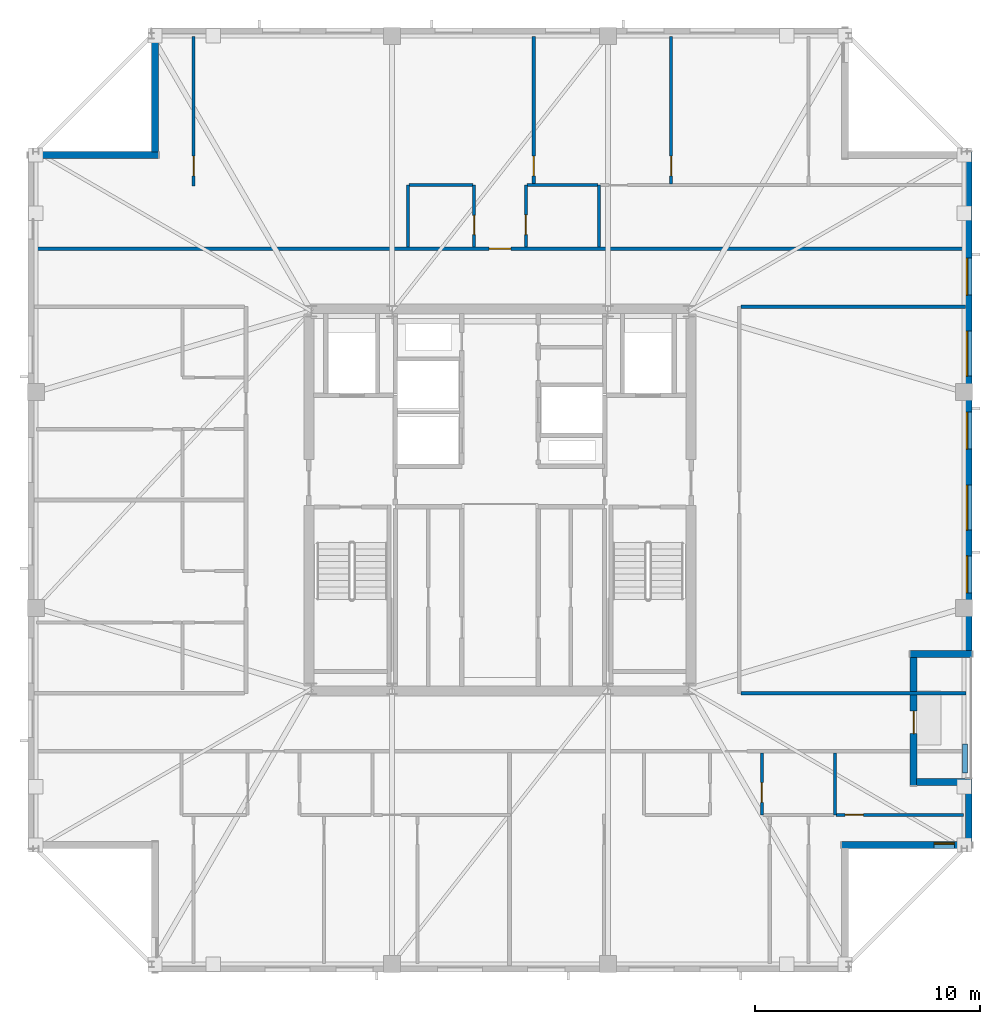
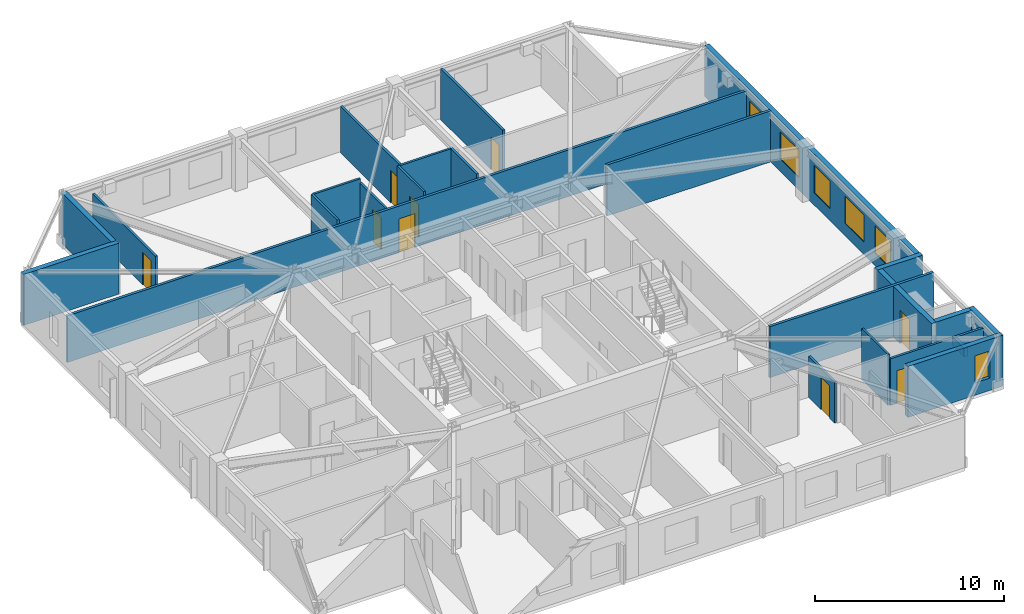
# One storey, part 10 of 15: 24 walls, 9 doors, 6 windows, 15 openings.
"""IFC4 building model written with IfcOpenShell, lengths in metres."""

from ifc_helpers import new_model, si_unit, direction, frame, frame_2d, origin, place, context, subcontext, project, spatial, rectangle, extrude, material, layer, layer_set, type_object, element, fill, save


model = new_model("IFC4")

# Units and contexts
model_context = context("Model", 3, precision=1e-05, world=origin(), true_north=direction((0.0, 1.0)))
body_context = subcontext(model_context, "Body", "Model", "MODEL_VIEW")
ifc_project = project(units=[si_unit("LENGTHUNIT", "METRE"), si_unit("AREAUNIT", "SQUARE_METRE"), si_unit("VOLUMEUNIT", "CUBIC_METRE"), si_unit("PLANEANGLEUNIT", "RADIAN"), si_unit("MASSUNIT", "GRAM", prefix="KILO")], contexts=[model_context])

# Site, building, storey
site_placement = place(None, origin())
site = spatial("IfcSite", under=ifc_project, at=site_placement, CompositionType="ELEMENT")
building_placement = place(site_placement, origin())
building = spatial("IfcBuilding", under=site, at=building_placement, Name="Cairnveth Concourse Tower", CompositionType="ELEMENT")
storey_placement = place(building_placement, frame((0.0, 0.0, 291.0)))
storey = spatial("IfcBuildingStorey", under=building, at=storey_placement, Name="L80", CompositionType="ELEMENT", Elevation=291.0)

# Wall, opening, door
ifc_material_1 = material(Name="Gypsum Plasterboard Partition", Category="gypsum")
ifc_layer_1 = layer(ifc_material_1, 0.159912109375)
ifc_layer_set_1 = layer_set([ifc_layer_1], Name="Gypsum Plasterboard Partition")
wall_type_1 = type_object("IfcWallType", Name="ACOUSTIC PARTY WALL 180", PredefinedType="PARTITIONING", material=ifc_layer_set_1)
wall_1_placement = place(storey_placement, frame((31.284912109375, 50.177490234375, 0.0), z_axis=(0.0, 0.0, 1.0), x_axis=(1.0, 0.0, 0.0)))
wall_1 = element("IfcWall", 1, at=wall_1_placement, inside=storey, type_object=wall_type_1, Name="Interior Wall IW-L80-037", PredefinedType="PARTITIONING", context=body_context, shape_type="SweptSolid", body=[
    extrude(rectangle(XDim=41.43017578125, YDim=0.159912109375, at=frame_2d((20.715087890625, 0.0))), origin(), (0.0, 0.0, 1.0), 3.009033203125),
])
opening_1_placement = place(wall_1_placement, frame((20.235107421875, 0.0, 0.0)))
opening_1 = element("IfcOpeningElement", 2, at=opening_1_placement, cuts=wall_1, Name="Opening ID10", PredefinedType="OPENING", context=body_context, shape_type="SweptSolid", body=[
    extrude(rectangle(XDim=0.9599609375, YDim=2.179931640625, at=frame_2d((0.47998046875, 1.08984375))), frame((0.0, 0.08984375, 0.0), z_axis=(0.0, -1.0, 0.0), x_axis=(1.0, 0.0, 0.0)), (0.0, 0.0, 1.0), 0.179931640625),
])
ifc_material_2 = material(Name="Solid Core Hardwood Timber Leaf", Category="wood")
door_type_1 = type_object("IfcDoorType", Name="FLAT ENTRANCE DOOR 960X2150", OperationType="NOTDEFINED", PredefinedType="DOOR", material=ifc_material_2)
door_1_placement = place(opening_1_placement, origin())
door_1 = element("IfcDoor", 3, at=door_1_placement, inside=storey, type_object=door_type_1, Name="Penthouse L80PN1 Entrance Door", OperationType="SINGLE_SWING_LEFT", OverallHeight=2.179931640625, OverallWidth=0.9599609375, PredefinedType="DOOR", context=body_context, shape_type="SweptSolid", body=[
    extrude(rectangle(XDim=0.9599609375, YDim=2.179931640625, at=frame_2d((0.47998046875, 1.08984375))), frame((0.0, 0.02490234375, 0.0), z_axis=(0.0, -1.0, 0.0), x_axis=(1.0, 0.0, 0.0)), (0.0, 0.0, 1.0), 0.050048828125),
])
fill(opening_1, door_1)

# Walls
wall_2_placement = place(storey_placement, frame((62.715087890625, 30.39990234375, 0.0), z_axis=(0.0, 0.0, 1.0), x_axis=(1.0, 0.0, 0.0)))
element("IfcWall", 4, at=wall_2_placement, inside=storey, type_object=wall_type_1, Name="Interior Wall IW-L80-042", PredefinedType="PARTITIONING", context=body_context, shape_type="SweptSolid", body=[
    extrude(rectangle(XDim=10.014892578125, YDim=0.159912109375, at=frame_2d((5.00732421875, 0.0))), origin(), (0.0, 0.0, 1.0), 3.2900390625),
])
wall_3_placement = place(storey_placement, frame((62.715087890625, 47.60009765625, 0.0), z_axis=(0.0, 0.0, 1.0), x_axis=(1.0, 0.0, 0.0)))
element("IfcWall", 5, at=wall_3_placement, inside=storey, type_object=wall_type_1, Name="Interior Wall IW-L80-043", PredefinedType="PARTITIONING", context=body_context, shape_type="SweptSolid", body=[
    extrude(rectangle(XDim=10.0, YDim=0.159912109375, at=frame_2d((5.0, 0.0))), origin(), (0.0, 0.0, 1.0), 3.2900390625),
])

# Wall, opening, door
ifc_layer_2 = layer(ifc_material_1, 0.139892578125)
ifc_layer_set_2 = layer_set([ifc_layer_2], Name="Gypsum Plasterboard Partition")
wall_type_2 = type_object("IfcWallType", Name="GYPSUM STUD PARTITION 140", PredefinedType="PARTITIONING", material=ifc_layer_set_2)
wall_4_placement = place(storey_placement, frame((66.951171875, 24.992431640625, 0.0), z_axis=(0.0, 0.0, 1.0), x_axis=(1.0, 0.0, 0.0)))
wall_4 = element("IfcWall", 6, at=wall_4_placement, inside=storey, type_object=wall_type_2, Name="Interior Wall IW-L80-063", PredefinedType="PARTITIONING", context=body_context, shape_type="SweptSolid", body=[
    extrude(rectangle(XDim=5.6787109375, YDim=0.139892578125, at=frame_2d((2.83935546875, 0.0))), origin(), (0.0, 0.0, 1.0), 3.009033203125),
])
opening_2_placement = place(wall_4_placement, frame((0.39990234375, 0.0, 0.0)))
opening_2 = element("IfcOpeningElement", 7, at=opening_2_placement, cuts=wall_4, Name="Opening ID22", PredefinedType="OPENING", context=body_context, shape_type="SweptSolid", body=[
    extrude(rectangle(XDim=0.820068359375, YDim=2.10009765625, at=frame_2d((0.41015625, 1.050048828125))), frame((0.0, 0.079833984375, 0.0), z_axis=(0.0, -1.0, 0.0), x_axis=(1.0, 0.0, 0.0)), (0.0, 0.0, 1.0), 0.159912109375),
])
door_type_2 = type_object("IfcDoorType", Name="INTERIOR WC DOOR 820X2100", OperationType="NOTDEFINED", PredefinedType="DOOR", material=ifc_material_2)
door_2_placement = place(opening_2_placement, origin())
door_2 = element("IfcDoor", 8, at=door_2_placement, inside=storey, type_object=door_type_2, Name="L80PS2 Utility Door", OperationType="SINGLE_SWING_RIGHT", OverallHeight=2.10009765625, OverallWidth=0.820068359375, PredefinedType="DOOR", context=body_context, shape_type="SweptSolid", body=[
    extrude(rectangle(XDim=0.820068359375, YDim=2.10009765625, at=frame_2d((0.41015625, 1.050048828125))), frame((0.0, 0.02490234375, 0.0), z_axis=(0.0, -1.0, 0.0), x_axis=(1.0, 0.0, 0.0)), (0.0, 0.0, 1.0), 0.050048828125),
])
fill(opening_2, door_2)

wall_5_placement = place(storey_placement, frame((38.3701171875, 52.967529296875, 0.0), z_axis=(0.0, 0.0, 1.0), x_axis=(0.0, 1.0, 0.0)))
wall_5 = element("IfcWall", 9, at=wall_5_placement, inside=storey, type_object=wall_type_2, Name="Interior Wall IW-L80-071", PredefinedType="PARTITIONING", context=body_context, shape_type="SweptSolid", body=[
    extrude(rectangle(XDim=6.652587890625, YDim=0.139892578125, at=frame_2d((3.326171875, 0.0))), origin(), (0.0, 0.0, 1.0), 2.653076171875),
])
opening_3_placement = place(wall_5_placement, frame((0.449951171875, 0.0, 0.0)))
opening_3 = element("IfcOpeningElement", 10, at=opening_3_placement, cuts=wall_5, Name="Opening ID18", PredefinedType="OPENING", context=body_context, shape_type="SweptSolid", body=[
    extrude(rectangle(XDim=0.8798828125, YDim=2.10009765625, at=frame_2d((0.43994140625, 1.050048828125))), frame((0.0, 0.079833984375, 0.0), z_axis=(0.0, -1.0, 0.0), x_axis=(1.0, 0.0, 0.0)), (0.0, 0.0, 1.0), 0.159912109375),
])
door_type_3 = type_object("IfcDoorType", Name="INTERIOR SINGLE DOOR 880X2100", OperationType="NOTDEFINED", PredefinedType="DOOR", material=ifc_material_2)
door_3_placement = place(opening_3_placement, origin())
door_3 = element("IfcDoor", 11, at=door_3_placement, inside=storey, type_object=door_type_3, Name="L80PN1 Master Bedroom Door", OperationType="SINGLE_SWING_RIGHT", OverallHeight=2.10009765625, OverallWidth=0.8798828125, PredefinedType="DOOR", context=body_context, shape_type="SweptSolid", body=[
    extrude(rectangle(XDim=0.8798828125, YDim=2.10009765625, at=frame_2d((0.43994140625, 1.050048828125))), frame((0.0, 0.02490234375, 0.0), z_axis=(0.0, -1.0, 0.0), x_axis=(1.0, 0.0, 0.0)), (0.0, 0.0, 1.0), 0.050048828125),
])
fill(opening_3, door_3)

wall_6_placement = place(storey_placement, frame((53.5, 53.0576171875, 0.0), z_axis=(0.0, 0.0, 1.0), x_axis=(0.0, 1.0, 0.0)))
wall_6 = element("IfcWall", 12, at=wall_6_placement, inside=storey, type_object=wall_type_2, Name="Interior Wall IW-L80-074", PredefinedType="PARTITIONING", context=body_context, shape_type="SweptSolid", body=[
    extrude(rectangle(XDim=6.5625, YDim=0.139892578125, at=frame_2d((3.28125, 0.0))), origin(), (0.0, 0.0, 1.0), 3.009033203125),
])
opening_4_placement = place(wall_6_placement, frame((0.360107421875, 0.0, 0.0)))
opening_4 = element("IfcOpeningElement", 13, at=opening_4_placement, cuts=wall_6, Name="Opening ID18", PredefinedType="OPENING", context=body_context, shape_type="SweptSolid", body=[
    extrude(rectangle(XDim=0.8798828125, YDim=2.10009765625, at=frame_2d((0.43994140625, 1.050048828125))), frame((0.0, 0.079833984375, 0.0), z_axis=(0.0, -1.0, 0.0), x_axis=(1.0, 0.0, 0.0)), (0.0, 0.0, 1.0), 0.159912109375),
])
door_4_placement = place(opening_4_placement, origin())
door_4 = element("IfcDoor", 14, at=door_4_placement, inside=storey, type_object=door_type_3, Name="L80PN1 Media Lounge Door", OperationType="SINGLE_SWING_LEFT", OverallHeight=2.10009765625, OverallWidth=0.8798828125, PredefinedType="DOOR", context=body_context, shape_type="SweptSolid", body=[
    extrude(rectangle(XDim=0.8798828125, YDim=2.10009765625, at=frame_2d((0.43994140625, 1.050048828125))), frame((0.0, 0.02490234375, 0.0), z_axis=(0.0, -1.0, 0.0), x_axis=(1.0, 0.0, 0.0)), (0.0, 0.0, 1.0), 0.050048828125),
])
fill(opening_4, door_4)

wall_7_placement = place(storey_placement, frame((59.614990234375, 53.0625, 0.0), z_axis=(0.0, 0.0, 1.0), x_axis=(0.0, 1.0, 0.0)))
wall_7 = element("IfcWall", 15, at=wall_7_placement, inside=storey, type_object=wall_type_2, Name="Interior Wall IW-L80-075", PredefinedType="PARTITIONING", context=body_context, shape_type="SweptSolid", body=[
    extrude(rectangle(XDim=6.5576171875, YDim=0.139892578125, at=frame_2d((3.27880859375, 0.0))), origin(), (0.0, 0.0, 1.0), 3.2900390625),
])
opening_5_placement = place(wall_7_placement, frame((0.35498046875, 0.0, 0.0)))
opening_5 = element("IfcOpeningElement", 16, at=opening_5_placement, cuts=wall_7, Name="Opening ID18", PredefinedType="OPENING", context=body_context, shape_type="SweptSolid", body=[
    extrude(rectangle(XDim=0.8798828125, YDim=2.10009765625, at=frame_2d((0.43994140625, 1.050048828125))), frame((0.0, 0.079833984375, 0.0), z_axis=(0.0, -1.0, 0.0), x_axis=(1.0, 0.0, 0.0)), (0.0, 0.0, 1.0), 0.159912109375),
])
door_5_placement = place(opening_5_placement, origin())
door_5 = element("IfcDoor", 17, at=door_5_placement, inside=storey, type_object=door_type_3, Name="L80PN1 Library Salon Door", OperationType="SINGLE_SWING_RIGHT", OverallHeight=2.10009765625, OverallWidth=0.8798828125, PredefinedType="DOOR", context=body_context, shape_type="SweptSolid", body=[
    extrude(rectangle(XDim=0.8798828125, YDim=2.10009765625, at=frame_2d((0.43994140625, 1.050048828125))), frame((0.0, 0.02490234375, 0.0), z_axis=(0.0, -1.0, 0.0), x_axis=(1.0, 0.0, 0.0)), (0.0, 0.0, 1.0), 0.050048828125),
])
fill(opening_5, door_5)

# Walls
ifc_material_3 = material(Name="Dressed Melbourne Bluestone Cladding", Category="masonry")
ifc_layer_3 = layer(ifc_material_3, 0.219970703125)
ifc_layer_set_3 = layer_set([ifc_layer_3], Name="Dressed Melbourne Bluestone Cladding")
wall_type_3 = type_object("IfcWallType", Name="TERRACE PLANTER CURB WALL 220", PredefinedType="PARAPET", material=ifc_layer_set_3)
wall_8_placement = place(storey_placement, frame((72.679931640625, 26.85009765625, 0.0), z_axis=(0.0, 0.0, 1.0), x_axis=(0.0, 1.0, 0.0)))
element("IfcWall", 18, at=wall_8_placement, inside=storey, type_object=wall_type_3, Name="Exterior Wall PLNT-L80-TERR", PredefinedType="PARAPET", context=body_context, shape_type="SweptSolid", body=[
    extrude(rectangle(XDim=1.2998046875, YDim=0.219970703125, at=frame_2d((0.64990234375, 0.0))), origin(), (0.0, 0.0, 1.0), 0.550048828125),
])
ifc_layer_4 = layer(ifc_material_1, 0.1298828125)
ifc_layer_set_4 = layer_set([ifc_layer_4], Name="Gypsum Plasterboard Partition")
wall_type_4 = type_object("IfcWallType", Name="WET AREA PARTITION 140", PredefinedType="PLUMBINGWALL", material=ifc_layer_set_4)
wall_9_placement = place(storey_placement, frame((66.901123046875, 24.992431640625, 0.0), z_axis=(0.0, 0.0, 1.0), x_axis=(0.0, 1.0, 0.0)))
element("IfcWall", 19, at=wall_9_placement, inside=storey, type_object=wall_type_4, Name="Interior Wall IW-L80-058", PredefinedType="PLUMBINGWALL", context=body_context, shape_type="SweptSolid", body=[
    extrude(rectangle(XDim=2.75, YDim=0.1298828125, at=frame_2d((1.375, 0.0))), origin(), (0.0, 0.0, 1.0), 3.2900390625),
])

# Wall, opening, door
wall_10_placement = place(storey_placement, frame((63.651123046875, 24.992431640625, 0.0), z_axis=(0.0, 0.0, 1.0), x_axis=(0.0, 1.0, 0.0)))
wall_10 = element("IfcWall", 20, at=wall_10_placement, inside=storey, type_object=wall_type_4, Name="Interior Wall IW-L80-059", PredefinedType="PLUMBINGWALL", context=body_context, shape_type="SweptSolid", body=[
    extrude(rectangle(XDim=2.75, YDim=0.1298828125, at=frame_2d((1.375, 0.0))), origin(), (0.0, 0.0, 1.0), 2.653076171875),
])
opening_6_placement = place(wall_10_placement, frame((0.550048828125, 0.0, 0.0)))
opening_6 = element("IfcOpeningElement", 21, at=opening_6_placement, cuts=wall_10, Name="Opening ID18", PredefinedType="OPENING", context=body_context, shape_type="SweptSolid", body=[
    extrude(rectangle(XDim=0.8798828125, YDim=2.10009765625, at=frame_2d((0.43994140625, 1.050048828125))), frame((0.0, 0.074951171875, 0.0), z_axis=(0.0, -1.0, 0.0), x_axis=(1.0, 0.0, 0.0)), (0.0, 0.0, 1.0), 0.14990234375),
])
door_6_placement = place(opening_6_placement, origin())
door_6 = element("IfcDoor", 22, at=door_6_placement, inside=storey, type_object=door_type_3, Name="L80PS2 Kitchen Door", OperationType="SINGLE_SWING_RIGHT", OverallHeight=2.10009765625, OverallWidth=0.8798828125, PredefinedType="DOOR", context=body_context, shape_type="SweptSolid", body=[
    extrude(rectangle(XDim=0.8798828125, YDim=2.10009765625, at=frame_2d((0.43994140625, 1.050048828125))), frame((0.0, 0.02490234375, 0.0), z_axis=(0.0, -1.0, 0.0), x_axis=(1.0, 0.0, 0.0)), (0.0, 0.0, 1.0), 0.050048828125),
])
fill(opening_6, door_6)

# Wall
wall_11_placement = place(storey_placement, frame((47.89990234375, 50.257568359375, 0.0), z_axis=(0.0, 0.0, 1.0), x_axis=(0.0, 1.0, 0.0)))
element("IfcWall", 23, at=wall_11_placement, inside=storey, type_object=wall_type_4, Name="Interior Wall IW-L80-065", PredefinedType="PLUMBINGWALL", context=body_context, shape_type="SweptSolid", body=[
    extrude(rectangle(XDim=2.75, YDim=0.1298828125, at=frame_2d((1.375, 0.0))), origin(), (0.0, 0.0, 1.0), 3.2900390625),
])

# Wall, opening, door
wall_12_placement = place(storey_placement, frame((50.85009765625, 50.257568359375, 0.0), z_axis=(0.0, 0.0, 1.0), x_axis=(0.0, 1.0, 0.0)))
wall_12 = element("IfcWall", 24, at=wall_12_placement, inside=storey, type_object=wall_type_4, Name="Interior Wall IW-L80-066", PredefinedType="PLUMBINGWALL", context=body_context, shape_type="SweptSolid", body=[
    extrude(rectangle(XDim=2.75, YDim=0.1298828125, at=frame_2d((1.375, 0.0))), origin(), (0.0, 0.0, 1.0), 3.009033203125),
])
opening_7_placement = place(wall_12_placement, frame((0.550048828125, 0.0, 0.0)))
opening_7 = element("IfcOpeningElement", 25, at=opening_7_placement, cuts=wall_12, Name="Opening ID21", PredefinedType="OPENING", context=body_context, shape_type="SweptSolid", body=[
    extrude(rectangle(XDim=0.85009765625, YDim=2.080078125, at=frame_2d((0.425048828125, 1.0400390625))), frame((0.0, 0.074951171875, 0.0), z_axis=(0.0, -1.0, 0.0), x_axis=(1.0, 0.0, 0.0)), (0.0, 0.0, 1.0), 0.14990234375),
])
door_type_4 = type_object("IfcDoorType", Name="INTERIOR WC DOOR 850X2100", OperationType="NOTDEFINED", PredefinedType="DOOR", material=ifc_material_2)
door_7_placement = place(opening_7_placement, origin())
door_7 = element("IfcDoor", 26, at=door_7_placement, inside=storey, type_object=door_type_4, Name="L80PN1 Bathroom Door", OperationType="SINGLE_SWING_RIGHT", OverallHeight=2.080078125, OverallWidth=0.85009765625, PredefinedType="DOOR", context=body_context, shape_type="SweptSolid", body=[
    extrude(rectangle(XDim=0.85009765625, YDim=2.080078125, at=frame_2d((0.425048828125, 1.0400390625))), frame((0.0, 0.02490234375, 0.0), z_axis=(0.0, -1.0, 0.0), x_axis=(1.0, 0.0, 0.0)), (0.0, 0.0, 1.0), 0.050048828125),
])
fill(opening_7, door_7)

# Walls
wall_13_placement = place(storey_placement, frame((47.949951171875, 53.007568359375, 0.0), z_axis=(0.0, 0.0, 1.0), x_axis=(1.0, 0.0, 0.0)))
element("IfcWall", 27, at=wall_13_placement, inside=storey, type_object=wall_type_4, Name="Interior Wall IW-L80-067", PredefinedType="PLUMBINGWALL", context=body_context, shape_type="SweptSolid", body=[
    extrude(rectangle(XDim=2.85009765625, YDim=0.1298828125, at=frame_2d((1.425048828125, 0.0))), origin(), (0.0, 0.0, 1.0), 3.2900390625),
])
wall_14_placement = place(storey_placement, frame((56.39990234375, 50.257568359375, 0.0), z_axis=(0.0, 0.0, 1.0), x_axis=(0.0, 1.0, 0.0)))
element("IfcWall", 28, at=wall_14_placement, inside=storey, type_object=wall_type_4, Name="Interior Wall IW-L80-068", PredefinedType="PLUMBINGWALL", context=body_context, shape_type="SweptSolid", body=[
    extrude(rectangle(XDim=2.75, YDim=0.1298828125, at=frame_2d((1.375, 0.0))), origin(), (0.0, 0.0, 1.0), 3.2900390625),
])

# Wall, opening, door
wall_15_placement = place(storey_placement, frame((53.14990234375, 50.257568359375, 0.0), z_axis=(0.0, 0.0, 1.0), x_axis=(0.0, 1.0, 0.0)))
wall_15 = element("IfcWall", 29, at=wall_15_placement, inside=storey, type_object=wall_type_4, Name="Interior Wall IW-L80-069", PredefinedType="PLUMBINGWALL", context=body_context, shape_type="SweptSolid", body=[
    extrude(rectangle(XDim=2.75, YDim=0.1298828125, at=frame_2d((1.375, 0.0))), origin(), (0.0, 0.0, 1.0), 3.2900390625),
])
opening_8_placement = place(wall_15_placement, frame((0.550048828125, 0.0, 0.0)))
opening_8 = element("IfcOpeningElement", 30, at=opening_8_placement, cuts=wall_15, Name="Opening ID18", PredefinedType="OPENING", context=body_context, shape_type="SweptSolid", body=[
    extrude(rectangle(XDim=0.8798828125, YDim=2.10009765625, at=frame_2d((0.43994140625, 1.050048828125))), frame((0.0, 0.074951171875, 0.0), z_axis=(0.0, -1.0, 0.0), x_axis=(1.0, 0.0, 0.0)), (0.0, 0.0, 1.0), 0.14990234375),
])
door_8_placement = place(opening_8_placement, origin())
door_8 = element("IfcDoor", 31, at=door_8_placement, inside=storey, type_object=door_type_3, Name="L80PN1 Kitchen Door", OperationType="SINGLE_SWING_LEFT", OverallHeight=2.10009765625, OverallWidth=0.8798828125, PredefinedType="DOOR", context=body_context, shape_type="SweptSolid", body=[
    extrude(rectangle(XDim=0.8798828125, YDim=2.10009765625, at=frame_2d((0.43994140625, 1.050048828125))), frame((0.0, 0.02490234375, 0.0), z_axis=(0.0, -1.0, 0.0), x_axis=(1.0, 0.0, 0.0)), (0.0, 0.0, 1.0), 0.050048828125),
])
fill(opening_8, door_8)

# Walls
wall_16_placement = place(storey_placement, frame((53.199951171875, 53.007568359375, 0.0), z_axis=(0.0, 0.0, 1.0), x_axis=(1.0, 0.0, 0.0)))
element("IfcWall", 32, at=wall_16_placement, inside=storey, type_object=wall_type_4, Name="Interior Wall IW-L80-070", PredefinedType="PLUMBINGWALL", context=body_context, shape_type="SweptSolid", body=[
    extrude(rectangle(XDim=3.150146484375, YDim=0.1298828125, at=frame_2d((1.5751953125, 0.0))), origin(), (0.0, 0.0, 1.0), 3.2900390625),
])
ifc_material_4 = material(Name="Hawthorn Red-Ochre Fired Clay Brick Masonry", Category="masonry")
ifc_layer_5 = layer(ifc_material_4, 0.300048828125)
ifc_layer_set_5 = layer_set([ifc_layer_5], Name="Hawthorn Red-Ochre Fired Clay Brick Masonry")
wall_type_5 = type_object("IfcWallType", Name="ZONE 4 BRICK PIER SPANDREL WALL 300", PredefinedType="SOLIDWALL", material=ifc_layer_set_5)
wall_17_placement = place(storey_placement, frame((72.85009765625, 26.60009765625, 0.0), z_axis=(0.0, 0.0, 1.0), x_axis=(0.0, -1.0, 0.0)))
element("IfcWall", 33, at=wall_17_placement, inside=storey, type_object=wall_type_5, Name="Exterior Wall EW-L80-S00", PredefinedType="SOLIDWALL", context=body_context, shape_type="SweptSolid", body=[
    extrude(rectangle(XDim=2.822021484375, YDim=0.300048828125, at=frame_2d((1.4111328125, 0.0))), origin(), (0.0, 0.0, 1.0), 3.2900390625),
])

# Wall, opening, window
wall_18_placement = place(storey_placement, frame((73.0, 23.64990234375, 0.0), z_axis=(0.0, 0.0, 1.0), x_axis=(-1.0, 0.0, 0.0)))
wall_18 = element("IfcWall", 34, at=wall_18_placement, inside=storey, type_object=wall_type_5, Name="Exterior Wall EW-L80-S01", PredefinedType="SOLIDWALL", context=body_context, shape_type="SweptSolid", body=[
    extrude(rectangle(XDim=5.800048828125, YDim=0.300048828125, at=frame_2d((2.89990234375, 0.0))), origin(), (0.0, 0.0, 1.0), 3.2900390625),
])
opening_9_placement = place(wall_18_placement, frame((0.7900390625, 0.0, 0.800048828125)))
opening_9 = element("IfcOpeningElement", 35, at=opening_9_placement, cuts=wall_18, Name="Opening W13", PredefinedType="OPENING", context=body_context, shape_type="SweptSolid", body=[
    extrude(rectangle(XDim=0.89990234375, YDim=1.75, at=frame_2d((0.449951171875, 0.875))), frame((0.0, 0.159912109375, 0.0), z_axis=(0.0, -1.0, 0.0), x_axis=(1.0, 0.0, 0.0)), (0.0, 0.0, 1.0), 0.320068359375),
])
ifc_material_5 = material(Name="Double Glazed Low-E Clear Glass", Category="glass")
window_type_1 = type_object("IfcWindowType", Name="DEEP-SET BEDROOM LANCET WINDOW 900X1750", PartitioningType="DOUBLE_PANEL_VERTICAL", PredefinedType="WINDOW", material=ifc_material_5)
window_1_placement = place(opening_9_placement, origin())
window_1 = element("IfcWindow", 36, at=window_1_placement, inside=storey, type_object=window_type_1, Name="Dwelling Lancet Window L80-DW2", OverallHeight=1.75, OverallWidth=0.89990234375, PartitioningType="SINGLE_PANEL", PredefinedType="WINDOW", context=body_context, shape_type="SweptSolid", body=[
    extrude(rectangle(XDim=0.89990234375, YDim=1.75, at=frame_2d((0.449951171875, 0.875))), frame((0.0, -0.0400390625, 0.0), z_axis=(0.0, -1.0, 0.0), x_axis=(1.0, 0.0, 0.0)), (0.0, 0.0, 1.0), 0.06005859375),
])
fill(opening_9, window_1)

# Walls
wall_19_placement = place(storey_placement, frame((31.0, 54.35009765625, 0.0), z_axis=(0.0, 0.0, 1.0), x_axis=(1.0, 0.0, 0.0)))
element("IfcWall", 37, at=wall_19_placement, inside=storey, type_object=wall_type_5, Name="Exterior Wall EW-L80-S07", PredefinedType="SOLIDWALL", context=body_context, shape_type="SweptSolid", body=[
    extrude(rectangle(XDim=5.800048828125, YDim=0.300048828125, at=frame_2d((2.89990234375, 0.0))), origin(), (0.0, 0.0, 1.0), 3.2900390625),
])
wall_20_placement = place(storey_placement, frame((36.64990234375, 54.47802734375, 0.0), z_axis=(0.0, 0.0, 1.0), x_axis=(0.0, 1.0, 0.0)))
element("IfcWall", 38, at=wall_20_placement, inside=storey, type_object=wall_type_5, Name="Exterior Wall EW-L80-S08", PredefinedType="SOLIDWALL", context=body_context, shape_type="SweptSolid", body=[
    extrude(rectangle(XDim=5.243896484375, YDim=0.300048828125, at=frame_2d((2.6220703125, 0.0))), origin(), (0.0, 0.0, 1.0), 3.2900390625),
])

# Wall, openings, windows
wall_21_placement = place(storey_placement, frame((72.85009765625, 54.5, 0.0), z_axis=(0.0, 0.0, 1.0), x_axis=(0.0, -1.0, 0.0)))
wall_21 = element("IfcWall", 39, at=wall_21_placement, inside=storey, type_object=wall_type_5, Name="Exterior Wall EW-L80-S12", PredefinedType="SOLIDWALL", context=body_context, shape_type="SweptSolid", body=[
    extrude(rectangle(XDim=22.221923828125, YDim=0.300048828125, at=frame_2d((11.11083984375, 0.0))), origin(), (0.0, 0.0, 1.0), 3.2900390625),
])
opening_10_placement = place(wall_21_placement, frame((4.7373046875, 0.0, 0.800048828125)))
opening_10 = element("IfcOpeningElement", 40, at=opening_10_placement, cuts=wall_21, Name="Opening W04", PredefinedType="OPENING", context=body_context, shape_type="SweptSolid", body=[
    extrude(rectangle(XDim=1.64990234375, YDim=1.758056640625, at=frame_2d((0.824951171875, 0.87890625))), frame((0.0, 0.159912109375, 0.0), z_axis=(0.0, -1.0, 0.0), x_axis=(1.0, 0.0, 0.0)), (0.0, 0.0, 1.0), 0.320068359375),
])
opening_11_placement = place(wall_21_placement, frame((7.986572265625, 0.0, 0.800048828125)))
opening_11 = element("IfcOpeningElement", 41, at=opening_11_placement, cuts=wall_21, Name="Opening W09", PredefinedType="OPENING", context=body_context, shape_type="SweptSolid", body=[
    extrude(rectangle(XDim=2.0, YDim=1.758056640625, at=frame_2d((1.0, 0.87890625))), frame((0.0, 0.159912109375, 0.0), z_axis=(0.0, -1.0, 0.0), x_axis=(1.0, 0.0, 0.0)), (0.0, 0.0, 1.0), 0.320068359375),
])
opening_12_placement = place(wall_21_placement, frame((11.5859375, 0.0, 0.800048828125)))
opening_12 = element("IfcOpeningElement", 42, at=opening_12_placement, cuts=wall_21, Name="Opening W04", PredefinedType="OPENING", context=body_context, shape_type="SweptSolid", body=[
    extrude(rectangle(XDim=1.64990234375, YDim=1.758056640625, at=frame_2d((0.824951171875, 0.87890625))), frame((0.0, 0.159912109375, 0.0), z_axis=(0.0, -1.0, 0.0), x_axis=(1.0, 0.0, 0.0)), (0.0, 0.0, 1.0), 0.320068359375),
])
opening_13_placement = place(wall_21_placement, frame((14.83544921875, 0.0, 0.800048828125)))
opening_13 = element("IfcOpeningElement", 43, at=opening_13_placement, cuts=wall_21, Name="Opening W09", PredefinedType="OPENING", context=body_context, shape_type="SweptSolid", body=[
    extrude(rectangle(XDim=2.0, YDim=1.758056640625, at=frame_2d((1.0, 0.87890625))), frame((0.0, 0.159912109375, 0.0), z_axis=(0.0, -1.0, 0.0), x_axis=(1.0, 0.0, 0.0)), (0.0, 0.0, 1.0), 0.320068359375),
])
opening_14_placement = place(wall_21_placement, frame((17.98486328125, 0.0, 0.800048828125)))
opening_14 = element("IfcOpeningElement", 44, at=opening_14_placement, cuts=wall_21, Name="Opening W04", PredefinedType="OPENING", context=body_context, shape_type="SweptSolid", body=[
    extrude(rectangle(XDim=1.64990234375, YDim=1.758056640625, at=frame_2d((0.824951171875, 0.87890625))), frame((0.0, 0.159912109375, 0.0), z_axis=(0.0, -1.0, 0.0), x_axis=(1.0, 0.0, 0.0)), (0.0, 0.0, 1.0), 0.320068359375),
])
window_type_2 = type_object("IfcWindowType", Name="DEEP-SET GOTHIC LANCET WINDOW 1650X1850", PartitioningType="DOUBLE_PANEL_VERTICAL", PredefinedType="WINDOW", material=ifc_material_5)
window_2_placement = place(opening_10_placement, origin())
window_2 = element("IfcWindow", 45, at=window_2_placement, inside=storey, type_object=window_type_2, Name="Gothic Lancet Window L80-12-1", OverallHeight=1.758056640625, OverallWidth=1.64990234375, PartitioningType="SINGLE_PANEL", PredefinedType="WINDOW", context=body_context, shape_type="SweptSolid", body=[
    extrude(rectangle(XDim=1.64990234375, YDim=1.758056640625, at=frame_2d((0.824951171875, 0.87890625))), frame((0.0, -0.050048828125, 0.0), z_axis=(0.0, -1.0, 0.0), x_axis=(1.0, 0.0, 0.0)), (0.0, 0.0, 1.0), 0.06005859375),
])
fill(opening_10, window_2)
window_3_placement = place(opening_12_placement, origin())
window_3 = element("IfcWindow", 46, at=window_3_placement, inside=storey, type_object=window_type_2, Name="Gothic Lancet Window L80-12-3", OverallHeight=1.758056640625, OverallWidth=1.64990234375, PartitioningType="SINGLE_PANEL", PredefinedType="WINDOW", context=body_context, shape_type="SweptSolid", body=[
    extrude(rectangle(XDim=1.64990234375, YDim=1.758056640625, at=frame_2d((0.824951171875, 0.87890625))), frame((0.0, -0.050048828125, 0.0), z_axis=(0.0, -1.0, 0.0), x_axis=(1.0, 0.0, 0.0)), (0.0, 0.0, 1.0), 0.06005859375),
])
fill(opening_12, window_3)
window_4_placement = place(opening_14_placement, origin())
window_4 = element("IfcWindow", 47, at=window_4_placement, inside=storey, type_object=window_type_2, Name="Gothic Lancet Window L80-12-5", OverallHeight=1.758056640625, OverallWidth=1.64990234375, PartitioningType="SINGLE_PANEL", PredefinedType="WINDOW", context=body_context, shape_type="SweptSolid", body=[
    extrude(rectangle(XDim=1.64990234375, YDim=1.758056640625, at=frame_2d((0.824951171875, 0.87890625))), frame((0.0, -0.050048828125, 0.0), z_axis=(0.0, -1.0, 0.0), x_axis=(1.0, 0.0, 0.0)), (0.0, 0.0, 1.0), 0.06005859375),
])
fill(opening_14, window_4)
window_type_3 = type_object("IfcWindowType", Name="DEEP-SET PENTHOUSE LANCET WINDOW 2000X1850", PartitioningType="DOUBLE_PANEL_VERTICAL", PredefinedType="WINDOW", material=ifc_material_5)
window_5_placement = place(opening_11_placement, origin())
window_5 = element("IfcWindow", 48, at=window_5_placement, inside=storey, type_object=window_type_3, Name="Gothic Lancet Window L80-12-2", OverallHeight=1.758056640625, OverallWidth=2.0, PartitioningType="SINGLE_PANEL", PredefinedType="WINDOW", context=body_context, shape_type="SweptSolid", body=[
    extrude(rectangle(XDim=2.0, YDim=1.758056640625, at=frame_2d((1.0, 0.87890625))), frame((0.0, -0.050048828125, 0.0), z_axis=(0.0, -1.0, 0.0), x_axis=(1.0, 0.0, 0.0)), (0.0, 0.0, 1.0), 0.06005859375),
])
fill(opening_11, window_5)
window_6_placement = place(opening_13_placement, origin())
window_6 = element("IfcWindow", 49, at=window_6_placement, inside=storey, type_object=window_type_3, Name="Gothic Lancet Window L80-12-4", OverallHeight=1.758056640625, OverallWidth=2.0, PartitioningType="SINGLE_PANEL", PredefinedType="WINDOW", context=body_context, shape_type="SweptSolid", body=[
    extrude(rectangle(XDim=2.0, YDim=1.758056640625, at=frame_2d((1.0, 0.87890625))), frame((0.0, -0.050048828125, 0.0), z_axis=(0.0, -1.0, 0.0), x_axis=(1.0, 0.0, 0.0)), (0.0, 0.0, 1.0), 0.06005859375),
])
fill(opening_13, window_6)

# Wall
wall_22_placement = place(storey_placement, frame((73.0, 32.14990234375, 0.0), z_axis=(0.0, 0.0, 1.0), x_axis=(-1.0, 0.0, 0.0)))
element("IfcWall", 50, at=wall_22_placement, inside=storey, type_object=wall_type_5, Name="Exterior Wall EW-L80-S13", PredefinedType="SOLIDWALL", context=body_context, shape_type="SweptSolid", body=[
    extrude(rectangle(XDim=2.75, YDim=0.300048828125, at=frame_2d((1.375, 0.0))), origin(), (0.0, 0.0, 1.0), 3.2900390625),
])

# Wall, opening, door
wall_23_placement = place(storey_placement, frame((70.39990234375, 32.02197265625, 0.0), z_axis=(0.0, 0.0, 1.0), x_axis=(0.0, -1.0, 0.0)))
wall_23 = element("IfcWall", 51, at=wall_23_placement, inside=storey, type_object=wall_type_5, Name="Exterior Wall EW-L80-S14", PredefinedType="SOLIDWALL", context=body_context, shape_type="SweptSolid", body=[
    extrude(rectangle(XDim=5.721923828125, YDim=0.300048828125, at=frame_2d((2.86083984375, 0.0))), origin(), (0.0, 0.0, 1.0), 3.2900390625),
])
opening_15_placement = place(wall_23_placement, frame((2.41064453125, 0.0, 0.0)))
opening_15 = element("IfcOpeningElement", 52, at=opening_15_placement, cuts=wall_23, Name="Opening ED4", PredefinedType="OPENING", context=body_context, shape_type="SweptSolid", body=[
    extrude(rectangle(XDim=1.0, YDim=2.14990234375, at=frame_2d((0.5, 1.074951171875))), frame((0.0, 0.159912109375, 0.0), z_axis=(0.0, -1.0, 0.0), x_axis=(1.0, 0.0, 0.0)), (0.0, 0.0, 1.0), 0.320068359375),
])
ifc_material_6 = material(Name="Architectural Bronze Anodised Aluminium 6063-T6", Category="aluminium")
door_type_5 = type_object("IfcDoorType", Name="TERRACE GLAZED DOOR 1000X2150", OperationType="NOTDEFINED", PredefinedType="DOOR", material=ifc_material_6)
door_9_placement = place(opening_15_placement, origin())
door_9 = element("IfcDoor", 53, at=door_9_placement, inside=storey, type_object=door_type_5, Name="Spiral Terrace Door L80", OperationType="SINGLE_SWING_LEFT", OverallHeight=2.14990234375, OverallWidth=1.0, PredefinedType="DOOR", context=body_context, shape_type="SweptSolid", body=[
    extrude(rectangle(XDim=1.0, YDim=2.14990234375, at=frame_2d((0.5, 1.074951171875))), frame((0.0, 0.02490234375, 0.0), z_axis=(0.0, -1.0, 0.0), x_axis=(1.0, 0.0, 0.0)), (0.0, 0.0, 1.0), 0.050048828125),
])
fill(opening_15, door_9)

# Wall
wall_24_placement = place(storey_placement, frame((70.528076171875, 26.449951171875, 0.0), z_axis=(0.0, 0.0, 1.0), x_axis=(1.0, 0.0, 0.0)))
element("IfcWall", 54, at=wall_24_placement, inside=storey, type_object=wall_type_5, Name="Exterior Wall EW-L80-S15", PredefinedType="SOLIDWALL", context=body_context, shape_type="SweptSolid", body=[
    extrude(rectangle(XDim=2.19384765625, YDim=0.300048828125, at=frame_2d((1.096923828125, 0.0))), origin(), (0.0, 0.0, 1.0), 3.2900390625),
])

save(model, "model.ifc")
